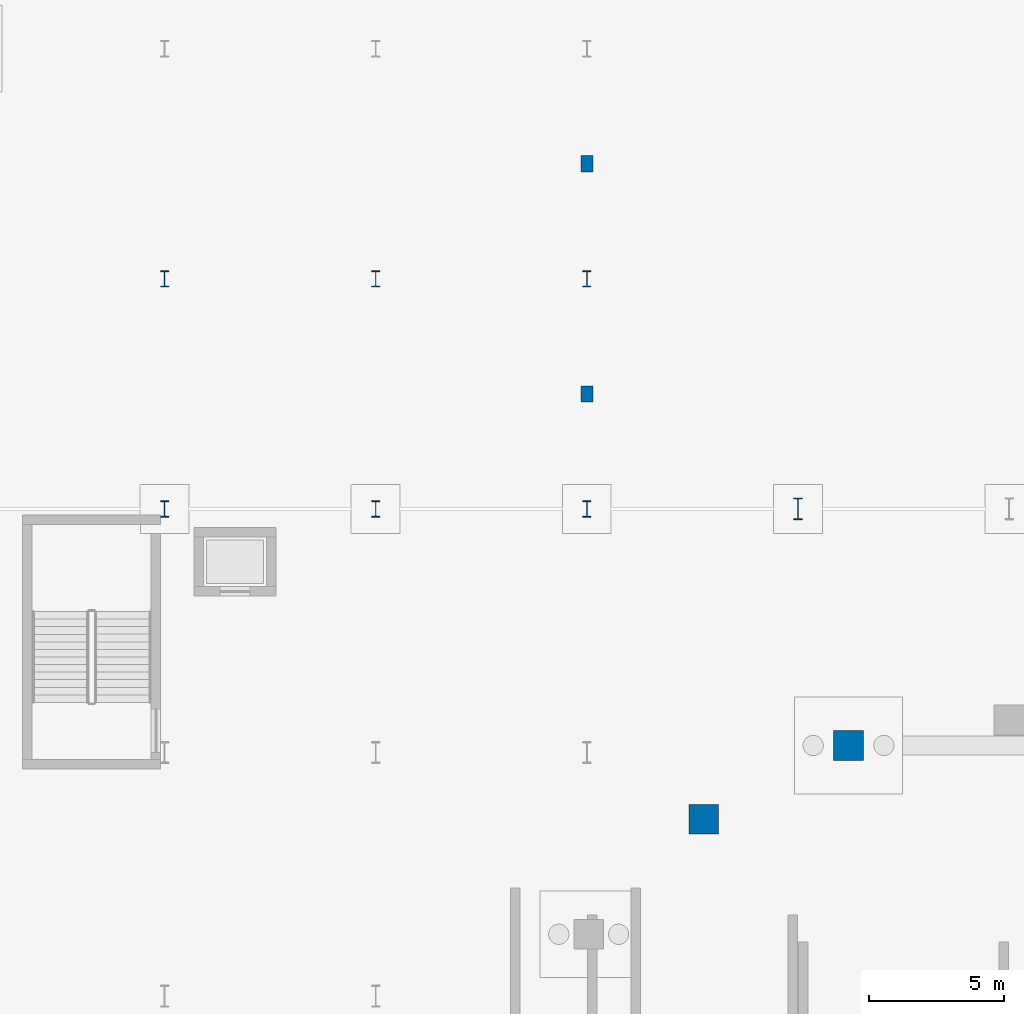
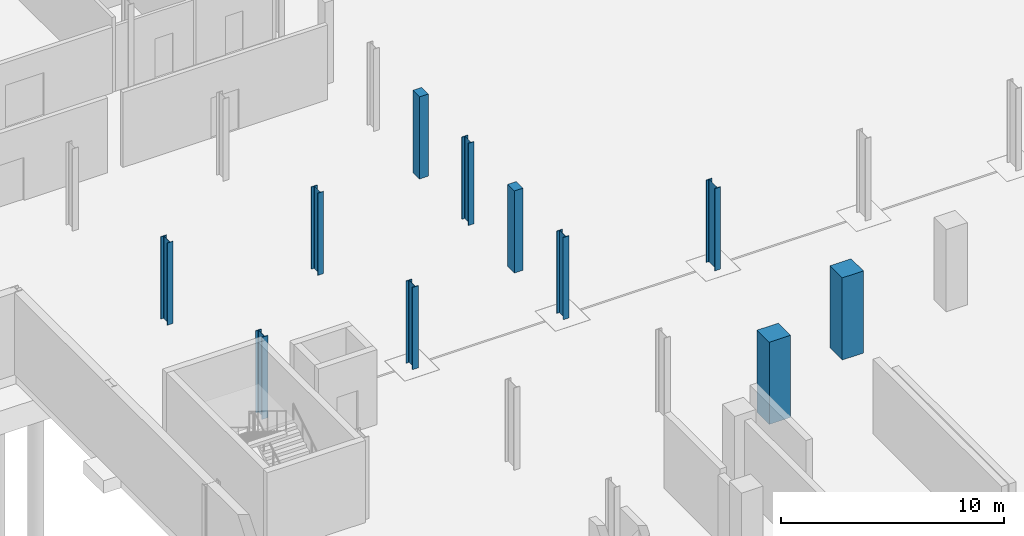
# One storey, part 6 of 45: 11 columns.
"""IFC4 building model written with IfcOpenShell, lengths in metres."""

from ifc_helpers import new_model, si_unit, direction, frame, origin, origin_2d, place, context, subcontext, project, spatial, rectangle, i_section, extrude, material, material_profile, profile_set, type_object, element, save


model = new_model("IFC4")

# Units and contexts
model_context = context("Model", 3, precision=1e-05, world=origin(), true_north=direction((0.0, 1.0)))
body_context = subcontext(model_context, "Body", "Model", "MODEL_VIEW")
ifc_project = project(units=[si_unit("LENGTHUNIT", "METRE"), si_unit("AREAUNIT", "SQUARE_METRE"), si_unit("VOLUMEUNIT", "CUBIC_METRE"), si_unit("PLANEANGLEUNIT", "RADIAN"), si_unit("MASSUNIT", "GRAM", prefix="KILO")], contexts=[model_context])

# Site, building, storey
site_placement = place(None, origin())
site = spatial("IfcSite", under=ifc_project, at=site_placement, CompositionType="ELEMENT")
building_placement = place(site_placement, origin())
building = spatial("IfcBuilding", under=site, at=building_placement, Name="Sefraquen Railside Congress Hotel", CompositionType="ELEMENT")
storey_placement = place(building_placement, frame((0.0, 0.0, -4.5)))
storey = spatial("IfcBuildingStorey", under=building, at=storey_placement, Name="B01", CompositionType="ELEMENT", Elevation=-4.5)

# Columns
ifc_material_1 = material(Name="Steel S355JR", Category="steel")
ifc_material_profile_1 = material_profile(ifc_material_1, i_section(OverallWidth=0.300048828125, OverallDepth=0.60009765625, WebThickness=0.015380859375, FlangeThickness=0.030029296875, FilletRadius=0.027099609375, at=origin_2d()), Name="HEB 600")
ifc_profile_set_1 = profile_set([ifc_material_profile_1], Name="Steel S355JR")
column_type_1 = type_object("IfcColumnType", Name="TC-HEB-600", PredefinedType="COLUMN", material=ifc_profile_set_1)
for number, where, z_axis, x_axis, name in (
    (1, (33.0, 54.0, 0.0), (0.0, 0.0, 1.0), (1.0, 0.0, 0.0), "Structural column 5-G B01"),
    (2, (33.0, 62.5, 0.0), (0.0, 0.0, 1.0), (1.0, 0.0, 0.0), "Structural column 5-H B01"),
    (3, (40.800048828125, 54.0, 0.0), (0.0, 0.0, 1.0), (1.0, 0.0, 0.0), "Structural column 6-G B01"),
    (4, (40.800048828125, 62.5, 0.0), (0.0, 0.0, 1.0), (1.0, 0.0, 0.0), "Structural column 6-H B01"),
    (5, (48.60009765625, 54.0, 0.0), (0.0, 0.0, 1.0), (1.0, 0.0, 0.0), "Structural column 7-G B01"),
    (6, (48.60009765625, 62.5, 0.0), (0.0, 0.0, 1.0), (1.0, 0.0, 0.0), "Structural column 7-H B01"),
):
    element("IfcColumn", number, at=place(storey_placement, frame(where, z_axis=z_axis, x_axis=x_axis)), inside=storey, type_object=column_type_1, Name=name, PredefinedType="COLUMN", context=body_context, shape_type="SweptSolid", body=[
        extrude(i_section(OverallWidth=0.300048828125, OverallDepth=0.60009765625, WebThickness=0.015380859375, FlangeThickness=0.030029296875, FilletRadius=0.027099609375, at=origin_2d()), origin(), (0.0, 0.0, 1.0), 4.5),
    ])
ifc_material_profile_2 = material_profile(ifc_material_1, i_section(OverallWidth=0.300048828125, OverallDepth=0.800048828125, WebThickness=0.017578125, FlangeThickness=0.032958984375, FilletRadius=0.030029296875, at=origin_2d()), Name="HEB 800")
ifc_profile_set_2 = profile_set([ifc_material_profile_2], Name="Steel S355JR")
column_type_2 = type_object("IfcColumnType", Name="TC-HEB-800", PredefinedType="COLUMN", material=ifc_profile_set_2)
column_placement = place(storey_placement, frame((56.39990234375, 54.0, 0.0), z_axis=(0.0, 0.0, 1.0), x_axis=(1.0, 0.0, 0.0)))
element("IfcColumn", 7, at=column_placement, inside=storey, type_object=column_type_2, Name="Structural column 8-G B01", PredefinedType="COLUMN", context=body_context, shape_type="SweptSolid", body=[
    extrude(i_section(OverallWidth=0.300048828125, OverallDepth=0.800048828125, WebThickness=0.017578125, FlangeThickness=0.032958984375, FilletRadius=0.030029296875, at=origin_2d()), origin(), (0.0, 0.0, 1.0), 4.5),
])
ifc_material_2 = material(Name="Concrete C50/60", Category="concrete")
ifc_material_profile_3 = material_profile(ifc_material_2, rectangle(XDim=0.449951171875, YDim=0.60009765625, at=origin_2d()), Name="RC 600x450")
ifc_profile_set_3 = profile_set([ifc_material_profile_3], Name="Concrete C50/60")
column_type_3 = type_object("IfcColumnType", Name="TC-PIL-600", PredefinedType="PILASTER", material=ifc_profile_set_3)
for number, where, z_axis, x_axis, name in (
    (8, (48.60009765625, 58.25, 0.0), (0.0, 0.0, 1.0), (1.0, 0.0, 0.0), "Courtyard limestone pilaster CPIL-W1 B01"),
    (9, (48.60009765625, 66.75, 0.0), (0.0, 0.0, 1.0), (1.0, 0.0, 0.0), "Courtyard limestone pilaster CPIL-W2 B01"),
):
    element("IfcColumn", number, at=place(storey_placement, frame(where, z_axis=z_axis, x_axis=x_axis)), inside=storey, type_object=column_type_3, Name=name, PredefinedType="PILASTER", context=body_context, shape_type="SweptSolid", body=[
        extrude(rectangle(XDim=0.449951171875, YDim=0.60009765625, at=origin_2d()), origin(), (0.0, 0.0, 1.0), 4.5),
    ])
ifc_material_profile_4 = material_profile(ifc_material_2, rectangle(XDim=1.10009765625, YDim=1.10009765625, at=origin_2d()), Name="RC 1100x1100")
ifc_profile_set_4 = profile_set([ifc_material_profile_4], Name="Concrete C50/60")
column_type_4 = type_object("IfcColumnType", Name="TC-RC-1100", PredefinedType="COLUMN", material=ifc_profile_set_4)
for number, where, z_axis, x_axis, name in (
    (10, (58.266845703125, 45.26025390625, 0.0), (0.0, 0.0, 1.0), (1.0, 0.0, 0.0), "Structural column DRM-07 B01"),
    (11, (52.91455078125, 42.533203125, 0.0), (0.0, 0.0, 1.0), (1.0, 0.0, 0.0), "Structural column DRM-08 B01"),
):
    element("IfcColumn", number, at=place(storey_placement, frame(where, z_axis=z_axis, x_axis=x_axis)), inside=storey, type_object=column_type_4, Name=name, PredefinedType="COLUMN", context=body_context, shape_type="SweptSolid", body=[
        extrude(rectangle(XDim=1.10009765625, YDim=1.10009765625, at=origin_2d()), origin(), (0.0, 0.0, 1.0), 4.5),
    ])

save(model, "model.ifc")
